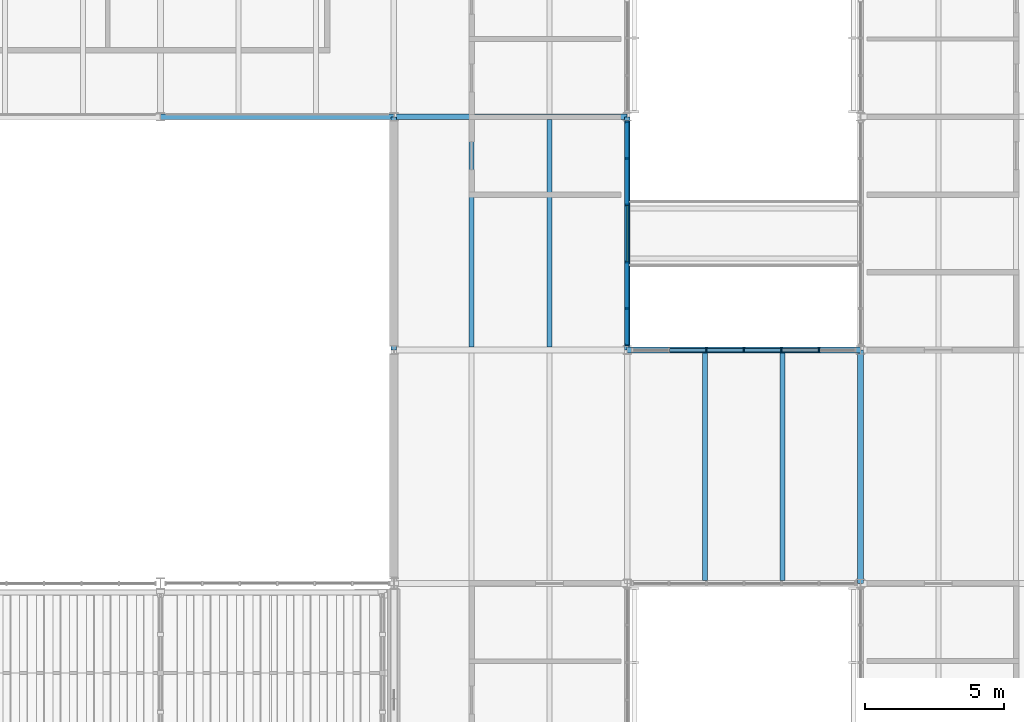
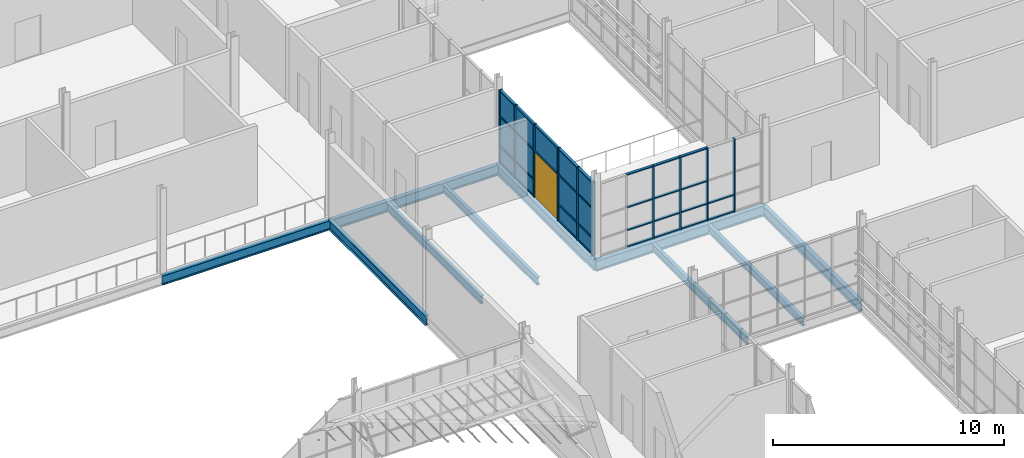
# One storey, part 43 of 129: 42 members, 13 plates, 10 beams, 1 door, 1 opening, 2 elements without a shape of their own.
"""IFC4 building model written with IfcOpenShell, lengths in metres."""

from ifc_helpers import new_model, si_unit, direction, frame, frame_2d, origin, origin_2d, place, context, subcontext, project, spatial, rectangle, i_section, extrude, material, layer, layer_set, material_profile, profile_set, type_object, element, fill, aggregate, save


model = new_model("IFC4")

# Units and contexts
model_context = context("Model", 3, precision=1e-05, world=origin(), true_north=direction((0.0, 1.0)))
body_context = subcontext(model_context, "Body", "Model", "MODEL_VIEW")
ifc_project = project(units=[si_unit("LENGTHUNIT", "METRE"), si_unit("AREAUNIT", "SQUARE_METRE"), si_unit("VOLUMEUNIT", "CUBIC_METRE"), si_unit("PLANEANGLEUNIT", "RADIAN"), si_unit("MASSUNIT", "GRAM", prefix="KILO")], contexts=[model_context])

# Site, building, storey
site_placement = place(None, origin())
site = spatial("IfcSite", under=ifc_project, at=site_placement, CompositionType="ELEMENT")
building_placement = place(site_placement, origin())
building = spatial("IfcBuilding", under=site, at=building_placement, Name="Ardhachandra Cancer Care Centre", CompositionType="ELEMENT")
storey_placement = place(building_placement, frame((0.0, 0.0, 4.5)))
storey = spatial("IfcBuildingStorey", under=building, at=storey_placement, Name="L01", CompositionType="ELEMENT", Elevation=4.5)

# Beams
ifc_material_1 = material(Name="Steel E350 (IS 2062)", Category="steel")
ifc_material_profile_1 = material_profile(ifc_material_1, i_section(OverallWidth=0.179931640625, OverallDepth=0.39990234375, WebThickness=0.008544921875, FlangeThickness=0.013427734375, FilletRadius=0.02099609375, at=origin_2d()), Name="NPB 400x180x66.30")
ifc_profile_set_1 = profile_set([ifc_material_profile_1], Name="Steel E350 (IS 2062)")
beam_type_1 = type_object("IfcBeamType", Name="Beam NPB 400x180x66.30", PredefinedType="BEAM", material=ifc_profile_set_1)
for number, where, z_axis, x_axis, name in (
    (1, (114.39990234375, 63.10498046875, -0.35009765625), (0.0, 1.0, 0.0), (-1.0, 0.0, 0.0), "Secondary G13-H13@2800"),
    (2, (117.199951171875, 63.10498046875, -0.35009765625), (0.0, 1.0, 0.0), (-1.0, 0.0, 0.0), "Secondary G13-H13@5600"),
    (3, (122.800048828125, 54.705078125, -0.35009765625), (0.0, 1.0, 0.0), (-1.0, 0.0, 0.0), "Secondary F14-G14@2800"),
    (4, (125.60009765625, 54.705078125, -0.35009765625), (0.0, 1.0, 0.0), (-1.0, 0.0, 0.0), "Secondary F14-G14@5600"),
):
    element("IfcBeam", number, at=place(storey_placement, frame(where, z_axis=z_axis, x_axis=x_axis)), inside=storey, type_object=beam_type_1, Name=name, PredefinedType="BEAM", context=body_context, shape_type="SweptSolid", body=[
        extrude(i_section(OverallWidth=0.179931640625, OverallDepth=0.39990234375, WebThickness=0.008544921875, FlangeThickness=0.013427734375, FilletRadius=0.02099609375, at=origin_2d()), origin(), (0.0, 0.0, 1.0), 8.18994140625),
    ])
ifc_material_2 = material(Name="Steel E350 (IS 2062)", Category="steel")
ifc_material_profile_2 = material_profile(ifc_material_2, i_section(OverallWidth=0.199951171875, OverallDepth=0.5, WebThickness=0.01025390625, FlangeThickness=0.01611328125, FilletRadius=0.02099609375, at=origin_2d()), Name="NPB 500x200x90.68")
ifc_profile_set_2 = profile_set([ifc_material_profile_2], Name="Steel E350 (IS 2062)")
beam_type_2 = type_object("IfcBeamType", Name="Beam NPB 500x200x90.68", PredefinedType="BEAM", material=ifc_profile_set_2)
beam_1_placement = place(storey_placement, frame((103.199951171875, 71.39990234375, -0.39990234375), z_axis=(1.0, 0.0, 0.0), x_axis=(0.0, 1.0, 0.0)))
element("IfcBeam", 5, at=beam_1_placement, inside=storey, type_object=beam_type_2, Name="Edge girder H12-H13", PredefinedType="BEAM", context=body_context, shape_type="SweptSolid", body=[
    extrude(i_section(OverallWidth=0.199951171875, OverallDepth=0.5, WebThickness=0.01025390625, FlangeThickness=0.01611328125, FilletRadius=0.02099609375, at=origin_2d()), origin(), (0.0, 0.0, 1.0), 8.400146484375),
])
beam_2_placement = place(storey_placement, frame((111.60009765625, 63.0, -0.39990234375), z_axis=(0.0, 1.0, 0.0), x_axis=(-1.0, 0.0, 0.0)))
element("IfcBeam", 6, at=beam_2_placement, inside=storey, type_object=beam_type_2, Name="Edge girder G13-H13", PredefinedType="BEAM", context=body_context, shape_type="SweptSolid", body=[
    extrude(i_section(OverallWidth=0.199951171875, OverallDepth=0.5, WebThickness=0.01025390625, FlangeThickness=0.01611328125, FilletRadius=0.02099609375, at=origin_2d()), origin(), (0.0, 0.0, 1.0), 8.39990234375),
])
ifc_material_3 = material(Name="Steel E350 (IS 2062)", Category="steel")
ifc_material_profile_3 = material_profile(ifc_material_3, i_section(OverallWidth=0.2099609375, OverallDepth=0.550048828125, WebThickness=0.010986328125, FlangeThickness=0.01708984375, FilletRadius=0.02392578125, at=origin_2d()), Name="NPB 550x210x105.52")
ifc_profile_set_3 = profile_set([ifc_material_profile_3], Name="Steel E350 (IS 2062)")
beam_type_3 = type_object("IfcBeamType", Name="Beam NPB 550x210x105.52", PredefinedType="BEAM", material=ifc_profile_set_3)
for number, where, z_axis, x_axis, name in (
    (7, (120.0, 63.0, -0.425048828125), (1.0, 0.0, 0.0), (0.0, 1.0, 0.0), "Girder G14-G15"),
    (8, (111.60009765625, 71.39990234375, -0.425048828125), (1.0, 0.0, 0.0), (0.0, 1.0, 0.0), "Girder H13-H14"),
    (9, (120.0, 63.0, -0.425048828125), (0.0, 1.0, 0.0), (-1.0, 0.0, 0.0), "Girder G14-H14"),
    (10, (128.39990234375, 54.60009765625, -0.425048828125), (0.0, 1.0, 0.0), (-1.0, 0.0, 0.0), "Girder F15-G15"),
):
    element("IfcBeam", number, at=place(storey_placement, frame(where, z_axis=z_axis, x_axis=x_axis)), inside=storey, type_object=beam_type_3, Name=name, PredefinedType="BEAM", context=body_context, shape_type="SweptSolid", body=[
        extrude(i_section(OverallWidth=0.2099609375, OverallDepth=0.550048828125, WebThickness=0.010986328125, FlangeThickness=0.01708984375, FilletRadius=0.02392578125, at=origin_2d()), origin(), (0.0, 0.0, 1.0), 8.39990234375),
    ])

# Curtain wall, opening, members
ifc_material_4 = material(Name="Aluminium extrusion", Category="aluminium")
ifc_layer_1 = layer(ifc_material_4, 0.14990234375)
ifc_layer_set_1 = layer_set([ifc_layer_1], Name="Aluminium extrusion")
curtain_wall_type = type_object("IfcCurtainWallType", Name="Curtain wall run", PredefinedType="NOTDEFINED", material=ifc_layer_set_1)
curtain_wall_1_placement = place(storey_placement, frame((120.0, 63.14990234375, 0.0), z_axis=(0.0, 0.0, 1.0), x_axis=(0.0, 1.0, 0.0)))
curtain_wall_1 = element("IfcCurtainWall", 11, at=curtain_wall_1_placement, inside=storey, type_object=curtain_wall_type, Name="Curtain wall L01 e/0120000_0063000", PredefinedType="NOTDEFINED")
opening_placement = place(curtain_wall_1_placement, frame((3.050048828125, 0.0, 0.0)))
opening = element("IfcOpeningElement", 12, at=opening_placement, cuts=curtain_wall_1, Name="Opening BR-LC2-L01-e", PredefinedType="OPENING", context=body_context, shape_type="SweptSolid", body=[
    extrude(rectangle(XDim=2.0, YDim=2.39990234375, at=frame_2d((1.0, 1.199951171875))), frame((0.0, 0.0849609375, 0.0), z_axis=(0.0, -1.0, 0.0), x_axis=(1.0, 0.0, 0.0)), (0.0, 0.0, 1.0), 0.169921875),
])
ifc_material_5 = material(Name="Aluminium extrusion", Category="aluminium")
ifc_material_profile_4 = material_profile(ifc_material_5, rectangle(XDim=0.159912109375, YDim=0.06005859375, at=origin_2d()), Name="Curtain wall mullion 60 x 160")
ifc_profile_set_4 = profile_set([ifc_material_profile_4], Name="Aluminium extrusion")
member_type_1 = type_object("IfcMemberType", Name="Curtain wall mullion 60 x 160", PredefinedType="MULLION", material=ifc_profile_set_4)
member_1_placement = place(storey_placement, frame((120.0, 63.179931640625, 0.0), z_axis=(0.0, 0.0, 1.0), x_axis=(-1.0, 0.0, 0.0)))
member_1 = element("IfcMember", 13, at=member_1_placement, type_object=member_type_1, Name="CW mullion 1", PredefinedType="MULLION", context=body_context, shape_type="SweptSolid", body=[
    extrude(rectangle(XDim=0.159912109375, YDim=0.06005859375, at=origin_2d()), origin(), (0.0, 0.0, 1.0), 3.85009765625),
])
member_2_placement = place(storey_placement, frame((120.0, 64.5, 0.0), z_axis=(0.0, 0.0, 1.0), x_axis=(-1.0, 0.0, 0.0)))
member_2 = element("IfcMember", 14, at=member_2_placement, type_object=member_type_1, Name="CW mullion 2", PredefinedType="MULLION", context=body_context, shape_type="SweptSolid", body=[
    extrude(rectangle(XDim=0.159912109375, YDim=0.06005859375, at=origin_2d()), origin(), (0.0, 0.0, 1.0), 3.85009765625),
])
member_3_placement = place(storey_placement, frame((120.0, 66.169921875, 0.0), z_axis=(0.0, 0.0, 1.0), x_axis=(-1.0, 0.0, 0.0)))
member_3 = element("IfcMember", 15, at=member_3_placement, type_object=member_type_1, Name="CW mullion 3", PredefinedType="MULLION", context=body_context, shape_type="SweptSolid", body=[
    extrude(rectangle(XDim=0.159912109375, YDim=0.06005859375, at=origin_2d()), origin(), (0.0, 0.0, 1.0), 3.85009765625),
])
member_4_placement = place(storey_placement, frame((120.0, 68.22998046875, 0.0), z_axis=(0.0, 0.0, 1.0), x_axis=(-1.0, 0.0, 0.0)))
member_4 = element("IfcMember", 16, at=member_4_placement, type_object=member_type_1, Name="CW mullion 4", PredefinedType="MULLION", context=body_context, shape_type="SweptSolid", body=[
    extrude(rectangle(XDim=0.159912109375, YDim=0.06005859375, at=origin_2d()), origin(), (0.0, 0.0, 1.0), 3.85009765625),
])
member_5_placement = place(storey_placement, frame((120.0, 69.89990234375, 0.0), z_axis=(0.0, 0.0, 1.0), x_axis=(-1.0, 0.0, 0.0)))
member_5 = element("IfcMember", 17, at=member_5_placement, type_object=member_type_1, Name="CW mullion 5", PredefinedType="MULLION", context=body_context, shape_type="SweptSolid", body=[
    extrude(rectangle(XDim=0.159912109375, YDim=0.06005859375, at=origin_2d()), origin(), (0.0, 0.0, 1.0), 3.85009765625),
])
member_6_placement = place(storey_placement, frame((120.0, 71.219970703125, 0.0), z_axis=(0.0, 0.0, 1.0), x_axis=(-1.0, 0.0, 0.0)))
member_6 = element("IfcMember", 18, at=member_6_placement, type_object=member_type_1, Name="CW mullion 6", PredefinedType="MULLION", context=body_context, shape_type="SweptSolid", body=[
    extrude(rectangle(XDim=0.159912109375, YDim=0.06005859375, at=origin_2d()), origin(), (0.0, 0.0, 1.0), 3.85009765625),
])

# Curtain wall, members
curtain_wall_2_placement = place(storey_placement, origin())
curtain_wall_2 = element("IfcCurtainWall", 19, at=curtain_wall_2_placement, inside=storey, type_object=curtain_wall_type, Name="Curtain wall L01 n/0120000_0063000", PredefinedType="NOTDEFINED")
member_7_placement = place(storey_placement, frame((122.85009765625, 63.0, 0.0), z_axis=(0.0, 0.0, 1.0), x_axis=(0.0, 1.0, 0.0)))
member_7 = element("IfcMember", 20, at=member_7_placement, type_object=member_type_1, Name="CW mullion 3", PredefinedType="MULLION", context=body_context, shape_type="SweptSolid", body=[
    extrude(rectangle(XDim=0.159912109375, YDim=0.06005859375, at=origin_2d()), origin(), (0.0, 0.0, 1.0), 3.85009765625),
])
member_8_placement = place(storey_placement, frame((124.199951171875, 63.0, 0.0), z_axis=(0.0, 0.0, 1.0), x_axis=(0.0, 1.0, 0.0)))
member_8 = element("IfcMember", 21, at=member_8_placement, type_object=member_type_1, Name="CW mullion 4", PredefinedType="MULLION", context=body_context, shape_type="SweptSolid", body=[
    extrude(rectangle(XDim=0.159912109375, YDim=0.06005859375, at=origin_2d()), origin(), (0.0, 0.0, 1.0), 3.85009765625),
])
member_9_placement = place(storey_placement, frame((125.550048828125, 63.0, 0.0), z_axis=(0.0, 0.0, 1.0), x_axis=(0.0, 1.0, 0.0)))
member_9 = element("IfcMember", 22, at=member_9_placement, type_object=member_type_1, Name="CW mullion 5", PredefinedType="MULLION", context=body_context, shape_type="SweptSolid", body=[
    extrude(rectangle(XDim=0.159912109375, YDim=0.06005859375, at=origin_2d()), origin(), (0.0, 0.0, 1.0), 3.85009765625),
])
member_10_placement = place(storey_placement, frame((126.89990234375, 63.0, 0.0), z_axis=(0.0, 0.0, 1.0), x_axis=(0.0, 1.0, 0.0)))
member_10 = element("IfcMember", 23, at=member_10_placement, type_object=member_type_1, Name="CW mullion 6", PredefinedType="MULLION", context=body_context, shape_type="SweptSolid", body=[
    extrude(rectangle(XDim=0.159912109375, YDim=0.06005859375, at=origin_2d()), origin(), (0.0, 0.0, 1.0), 3.85009765625),
])

# Member
ifc_material_6 = material(Name="Aluminium extrusion", Category="aluminium")
ifc_material_profile_5 = material_profile(ifc_material_6, rectangle(XDim=0.1201171875, YDim=0.06005859375, at=origin_2d()), Name="Curtain wall transom 60 x 120")
ifc_profile_set_5 = profile_set([ifc_material_profile_5], Name="Aluminium extrusion")
member_type_2 = type_object("IfcMemberType", Name="Curtain wall transom 60 x 120", PredefinedType="USERDEFINED", material=ifc_profile_set_5)
member_11_placement = place(storey_placement, frame((120.0, 63.2099609375, 0.030029296875), z_axis=(0.0, 1.0, 0.0), x_axis=(-1.0, 0.0, 0.0)))
member_11 = element("IfcMember", 24, at=member_11_placement, type_object=member_type_2, Name="CW transom 1.1", ObjectType="TRANSOM", PredefinedType="USERDEFINED", context=body_context, shape_type="SweptSolid", body=[
    extrude(rectangle(XDim=0.1201171875, YDim=0.06005859375, at=origin_2d()), origin(), (0.0, 0.0, 1.0), 1.260009765625),
])

member_12_placement = place(storey_placement, frame((120.0, 63.2099609375, 0.89990234375), z_axis=(0.0, 1.0, 0.0), x_axis=(-1.0, 0.0, 0.0)))
member_12 = element("IfcMember", 25, at=member_12_placement, type_object=member_type_2, Name="CW transom 1.2", ObjectType="TRANSOM", PredefinedType="USERDEFINED", context=body_context, shape_type="SweptSolid", body=[
    extrude(rectangle(XDim=0.1201171875, YDim=0.06005859375, at=origin_2d()), origin(), (0.0, 0.0, 1.0), 1.260009765625),
])

member_13_placement = place(storey_placement, frame((120.0, 63.2099609375, 2.4599609375), z_axis=(0.0, 1.0, 0.0), x_axis=(-1.0, 0.0, 0.0)))
member_13 = element("IfcMember", 26, at=member_13_placement, type_object=member_type_2, Name="CW transom 1.3", ObjectType="TRANSOM", PredefinedType="USERDEFINED", context=body_context, shape_type="SweptSolid", body=[
    extrude(rectangle(XDim=0.1201171875, YDim=0.06005859375, at=origin_2d()), origin(), (0.0, 0.0, 1.0), 1.260009765625),
])

member_14_placement = place(storey_placement, frame((120.0, 63.2099609375, 3.820068359375), z_axis=(0.0, 1.0, 0.0), x_axis=(-1.0, 0.0, 0.0)))
member_14 = element("IfcMember", 27, at=member_14_placement, type_object=member_type_2, Name="CW transom 1.4", ObjectType="TRANSOM", PredefinedType="USERDEFINED", context=body_context, shape_type="SweptSolid", body=[
    extrude(rectangle(XDim=0.1201171875, YDim=0.06005859375, at=origin_2d()), origin(), (0.0, 0.0, 1.0), 1.260009765625),
])

member_15_placement = place(storey_placement, frame((120.0, 64.530029296875, 0.030029296875), z_axis=(0.0, 1.0, 0.0), x_axis=(-1.0, 0.0, 0.0)))
member_15 = element("IfcMember", 28, at=member_15_placement, type_object=member_type_2, Name="CW transom 2.1", ObjectType="TRANSOM", PredefinedType="USERDEFINED", context=body_context, shape_type="SweptSolid", body=[
    extrude(rectangle(XDim=0.1201171875, YDim=0.06005859375, at=origin_2d()), origin(), (0.0, 0.0, 1.0), 1.60986328125),
])

member_16_placement = place(storey_placement, frame((120.0, 64.530029296875, 0.89990234375), z_axis=(0.0, 1.0, 0.0), x_axis=(-1.0, 0.0, 0.0)))
member_16 = element("IfcMember", 29, at=member_16_placement, type_object=member_type_2, Name="CW transom 2.2", ObjectType="TRANSOM", PredefinedType="USERDEFINED", context=body_context, shape_type="SweptSolid", body=[
    extrude(rectangle(XDim=0.1201171875, YDim=0.06005859375, at=origin_2d()), origin(), (0.0, 0.0, 1.0), 1.60986328125),
])

member_17_placement = place(storey_placement, frame((120.0, 64.530029296875, 2.4599609375), z_axis=(0.0, 1.0, 0.0), x_axis=(-1.0, 0.0, 0.0)))
member_17 = element("IfcMember", 30, at=member_17_placement, type_object=member_type_2, Name="CW transom 2.3", ObjectType="TRANSOM", PredefinedType="USERDEFINED", context=body_context, shape_type="SweptSolid", body=[
    extrude(rectangle(XDim=0.1201171875, YDim=0.06005859375, at=origin_2d()), origin(), (0.0, 0.0, 1.0), 1.60986328125),
])

member_18_placement = place(storey_placement, frame((120.0, 64.530029296875, 3.820068359375), z_axis=(0.0, 1.0, 0.0), x_axis=(-1.0, 0.0, 0.0)))
member_18 = element("IfcMember", 31, at=member_18_placement, type_object=member_type_2, Name="CW transom 2.4", ObjectType="TRANSOM", PredefinedType="USERDEFINED", context=body_context, shape_type="SweptSolid", body=[
    extrude(rectangle(XDim=0.1201171875, YDim=0.06005859375, at=origin_2d()), origin(), (0.0, 0.0, 1.0), 1.60986328125),
])

member_19_placement = place(storey_placement, frame((120.0, 66.199951171875, 2.4599609375), z_axis=(0.0, 1.0, 0.0), x_axis=(-1.0, 0.0, 0.0)))
member_19 = element("IfcMember", 32, at=member_19_placement, type_object=member_type_2, Name="CW transom 3.1", ObjectType="TRANSOM", PredefinedType="USERDEFINED", context=body_context, shape_type="SweptSolid", body=[
    extrude(rectangle(XDim=0.1201171875, YDim=0.06005859375, at=origin_2d()), origin(), (0.0, 0.0, 1.0), 2.0),
])

member_20_placement = place(storey_placement, frame((120.0, 66.199951171875, 3.820068359375), z_axis=(0.0, 1.0, 0.0), x_axis=(-1.0, 0.0, 0.0)))
member_20 = element("IfcMember", 33, at=member_20_placement, type_object=member_type_2, Name="CW transom 3.2", ObjectType="TRANSOM", PredefinedType="USERDEFINED", context=body_context, shape_type="SweptSolid", body=[
    extrude(rectangle(XDim=0.1201171875, YDim=0.06005859375, at=origin_2d()), origin(), (0.0, 0.0, 1.0), 2.0),
])

member_21_placement = place(storey_placement, frame((120.0, 68.260009765625, 0.030029296875), z_axis=(0.0, 1.0, 0.0), x_axis=(-1.0, 0.0, 0.0)))
member_21 = element("IfcMember", 34, at=member_21_placement, type_object=member_type_2, Name="CW transom 4.1", ObjectType="TRANSOM", PredefinedType="USERDEFINED", context=body_context, shape_type="SweptSolid", body=[
    extrude(rectangle(XDim=0.1201171875, YDim=0.06005859375, at=origin_2d()), origin(), (0.0, 0.0, 1.0), 1.610107421875),
])

member_22_placement = place(storey_placement, frame((120.0, 68.260009765625, 0.89990234375), z_axis=(0.0, 1.0, 0.0), x_axis=(-1.0, 0.0, 0.0)))
member_22 = element("IfcMember", 35, at=member_22_placement, type_object=member_type_2, Name="CW transom 4.2", ObjectType="TRANSOM", PredefinedType="USERDEFINED", context=body_context, shape_type="SweptSolid", body=[
    extrude(rectangle(XDim=0.1201171875, YDim=0.06005859375, at=origin_2d()), origin(), (0.0, 0.0, 1.0), 1.610107421875),
])

member_23_placement = place(storey_placement, frame((120.0, 68.260009765625, 2.4599609375), z_axis=(0.0, 1.0, 0.0), x_axis=(-1.0, 0.0, 0.0)))
member_23 = element("IfcMember", 36, at=member_23_placement, type_object=member_type_2, Name="CW transom 4.3", ObjectType="TRANSOM", PredefinedType="USERDEFINED", context=body_context, shape_type="SweptSolid", body=[
    extrude(rectangle(XDim=0.1201171875, YDim=0.06005859375, at=origin_2d()), origin(), (0.0, 0.0, 1.0), 1.610107421875),
])

member_24_placement = place(storey_placement, frame((120.0, 68.260009765625, 3.820068359375), z_axis=(0.0, 1.0, 0.0), x_axis=(-1.0, 0.0, 0.0)))
member_24 = element("IfcMember", 37, at=member_24_placement, type_object=member_type_2, Name="CW transom 4.4", ObjectType="TRANSOM", PredefinedType="USERDEFINED", context=body_context, shape_type="SweptSolid", body=[
    extrude(rectangle(XDim=0.1201171875, YDim=0.06005859375, at=origin_2d()), origin(), (0.0, 0.0, 1.0), 1.610107421875),
])

member_25_placement = place(storey_placement, frame((120.0, 69.929931640625, 0.030029296875), z_axis=(0.0, 1.0, 0.0), x_axis=(-1.0, 0.0, 0.0)))
member_25 = element("IfcMember", 38, at=member_25_placement, type_object=member_type_2, Name="CW transom 5.1", ObjectType="TRANSOM", PredefinedType="USERDEFINED", context=body_context, shape_type="SweptSolid", body=[
    extrude(rectangle(XDim=0.1201171875, YDim=0.06005859375, at=origin_2d()), origin(), (0.0, 0.0, 1.0), 1.260009765625),
])

member_26_placement = place(storey_placement, frame((120.0, 69.929931640625, 0.89990234375), z_axis=(0.0, 1.0, 0.0), x_axis=(-1.0, 0.0, 0.0)))
member_26 = element("IfcMember", 39, at=member_26_placement, type_object=member_type_2, Name="CW transom 5.2", ObjectType="TRANSOM", PredefinedType="USERDEFINED", context=body_context, shape_type="SweptSolid", body=[
    extrude(rectangle(XDim=0.1201171875, YDim=0.06005859375, at=origin_2d()), origin(), (0.0, 0.0, 1.0), 1.260009765625),
])

member_27_placement = place(storey_placement, frame((120.0, 69.929931640625, 2.4599609375), z_axis=(0.0, 1.0, 0.0), x_axis=(-1.0, 0.0, 0.0)))
member_27 = element("IfcMember", 40, at=member_27_placement, type_object=member_type_2, Name="CW transom 5.3", ObjectType="TRANSOM", PredefinedType="USERDEFINED", context=body_context, shape_type="SweptSolid", body=[
    extrude(rectangle(XDim=0.1201171875, YDim=0.06005859375, at=origin_2d()), origin(), (0.0, 0.0, 1.0), 1.260009765625),
])

member_28_placement = place(storey_placement, frame((120.0, 69.929931640625, 3.820068359375), z_axis=(0.0, 1.0, 0.0), x_axis=(-1.0, 0.0, 0.0)))
member_28 = element("IfcMember", 41, at=member_28_placement, type_object=member_type_2, Name="CW transom 5.4", ObjectType="TRANSOM", PredefinedType="USERDEFINED", context=body_context, shape_type="SweptSolid", body=[
    extrude(rectangle(XDim=0.1201171875, YDim=0.06005859375, at=origin_2d()), origin(), (0.0, 0.0, 1.0), 1.260009765625),
])

member_29_placement = place(storey_placement, frame((121.530029296875, 63.0, 0.030029296875), z_axis=(1.0, 0.0, 0.0), x_axis=(0.0, 1.0, 0.0)))
member_29 = element("IfcMember", 42, at=member_29_placement, type_object=member_type_2, Name="CW transom 2.1", ObjectType="TRANSOM", PredefinedType="USERDEFINED", context=body_context, shape_type="SweptSolid", body=[
    extrude(rectangle(XDim=0.1201171875, YDim=0.06005859375, at=origin_2d()), origin(), (0.0, 0.0, 1.0), 1.2900390625),
])

member_30_placement = place(storey_placement, frame((121.530029296875, 63.0, 0.89990234375), z_axis=(1.0, 0.0, 0.0), x_axis=(0.0, 1.0, 0.0)))
member_30 = element("IfcMember", 43, at=member_30_placement, type_object=member_type_2, Name="CW transom 2.2", ObjectType="TRANSOM", PredefinedType="USERDEFINED", context=body_context, shape_type="SweptSolid", body=[
    extrude(rectangle(XDim=0.1201171875, YDim=0.06005859375, at=origin_2d()), origin(), (0.0, 0.0, 1.0), 1.2900390625),
])

member_31_placement = place(storey_placement, frame((121.530029296875, 63.0, 2.10009765625), z_axis=(1.0, 0.0, 0.0), x_axis=(0.0, 1.0, 0.0)))
member_31 = element("IfcMember", 44, at=member_31_placement, type_object=member_type_2, Name="CW transom 2.3", ObjectType="TRANSOM", PredefinedType="USERDEFINED", context=body_context, shape_type="SweptSolid", body=[
    extrude(rectangle(XDim=0.1201171875, YDim=0.06005859375, at=origin_2d()), origin(), (0.0, 0.0, 1.0), 1.2900390625),
])

member_32_placement = place(storey_placement, frame((121.530029296875, 63.0, 3.820068359375), z_axis=(1.0, 0.0, 0.0), x_axis=(0.0, 1.0, 0.0)))
member_32 = element("IfcMember", 45, at=member_32_placement, type_object=member_type_2, Name="CW transom 2.4", ObjectType="TRANSOM", PredefinedType="USERDEFINED", context=body_context, shape_type="SweptSolid", body=[
    extrude(rectangle(XDim=0.1201171875, YDim=0.06005859375, at=origin_2d()), origin(), (0.0, 0.0, 1.0), 1.2900390625),
])

member_33_placement = place(storey_placement, frame((122.8798828125, 63.0, 0.030029296875), z_axis=(1.0, 0.0, 0.0), x_axis=(0.0, 1.0, 0.0)))
member_33 = element("IfcMember", 46, at=member_33_placement, type_object=member_type_2, Name="CW transom 3.1", ObjectType="TRANSOM", PredefinedType="USERDEFINED", context=body_context, shape_type="SweptSolid", body=[
    extrude(rectangle(XDim=0.1201171875, YDim=0.06005859375, at=origin_2d()), origin(), (0.0, 0.0, 1.0), 1.2900390625),
])

member_34_placement = place(storey_placement, frame((122.8798828125, 63.0, 0.89990234375), z_axis=(1.0, 0.0, 0.0), x_axis=(0.0, 1.0, 0.0)))
member_34 = element("IfcMember", 47, at=member_34_placement, type_object=member_type_2, Name="CW transom 3.2", ObjectType="TRANSOM", PredefinedType="USERDEFINED", context=body_context, shape_type="SweptSolid", body=[
    extrude(rectangle(XDim=0.1201171875, YDim=0.06005859375, at=origin_2d()), origin(), (0.0, 0.0, 1.0), 1.2900390625),
])

member_35_placement = place(storey_placement, frame((122.8798828125, 63.0, 2.10009765625), z_axis=(1.0, 0.0, 0.0), x_axis=(0.0, 1.0, 0.0)))
member_35 = element("IfcMember", 48, at=member_35_placement, type_object=member_type_2, Name="CW transom 3.3", ObjectType="TRANSOM", PredefinedType="USERDEFINED", context=body_context, shape_type="SweptSolid", body=[
    extrude(rectangle(XDim=0.1201171875, YDim=0.06005859375, at=origin_2d()), origin(), (0.0, 0.0, 1.0), 1.2900390625),
])

member_36_placement = place(storey_placement, frame((122.8798828125, 63.0, 3.820068359375), z_axis=(1.0, 0.0, 0.0), x_axis=(0.0, 1.0, 0.0)))
member_36 = element("IfcMember", 49, at=member_36_placement, type_object=member_type_2, Name="CW transom 3.4", ObjectType="TRANSOM", PredefinedType="USERDEFINED", context=body_context, shape_type="SweptSolid", body=[
    extrude(rectangle(XDim=0.1201171875, YDim=0.06005859375, at=origin_2d()), origin(), (0.0, 0.0, 1.0), 1.2900390625),
])

member_37_placement = place(storey_placement, frame((124.22998046875, 63.0, 0.030029296875), z_axis=(1.0, 0.0, 0.0), x_axis=(0.0, 1.0, 0.0)))
member_37 = element("IfcMember", 50, at=member_37_placement, type_object=member_type_2, Name="CW transom 4.1", ObjectType="TRANSOM", PredefinedType="USERDEFINED", context=body_context, shape_type="SweptSolid", body=[
    extrude(rectangle(XDim=0.1201171875, YDim=0.06005859375, at=origin_2d()), origin(), (0.0, 0.0, 1.0), 1.2900390625),
])

member_38_placement = place(storey_placement, frame((124.22998046875, 63.0, 0.89990234375), z_axis=(1.0, 0.0, 0.0), x_axis=(0.0, 1.0, 0.0)))
member_38 = element("IfcMember", 51, at=member_38_placement, type_object=member_type_2, Name="CW transom 4.2", ObjectType="TRANSOM", PredefinedType="USERDEFINED", context=body_context, shape_type="SweptSolid", body=[
    extrude(rectangle(XDim=0.1201171875, YDim=0.06005859375, at=origin_2d()), origin(), (0.0, 0.0, 1.0), 1.2900390625),
])

member_39_placement = place(storey_placement, frame((124.22998046875, 63.0, 2.10009765625), z_axis=(1.0, 0.0, 0.0), x_axis=(0.0, 1.0, 0.0)))
member_39 = element("IfcMember", 52, at=member_39_placement, type_object=member_type_2, Name="CW transom 4.3", ObjectType="TRANSOM", PredefinedType="USERDEFINED", context=body_context, shape_type="SweptSolid", body=[
    extrude(rectangle(XDim=0.1201171875, YDim=0.06005859375, at=origin_2d()), origin(), (0.0, 0.0, 1.0), 1.2900390625),
])

member_40_placement = place(storey_placement, frame((124.22998046875, 63.0, 3.820068359375), z_axis=(1.0, 0.0, 0.0), x_axis=(0.0, 1.0, 0.0)))
member_40 = element("IfcMember", 53, at=member_40_placement, type_object=member_type_2, Name="CW transom 4.4", ObjectType="TRANSOM", PredefinedType="USERDEFINED", context=body_context, shape_type="SweptSolid", body=[
    extrude(rectangle(XDim=0.1201171875, YDim=0.06005859375, at=origin_2d()), origin(), (0.0, 0.0, 1.0), 1.2900390625),
])

member_41_placement = place(storey_placement, frame((125.580078125, 63.0, 0.030029296875), z_axis=(1.0, 0.0, 0.0), x_axis=(0.0, 1.0, 0.0)))
member_41 = element("IfcMember", 54, at=member_41_placement, type_object=member_type_2, Name="CW transom 5.1", ObjectType="TRANSOM", PredefinedType="USERDEFINED", context=body_context, shape_type="SweptSolid", body=[
    extrude(rectangle(XDim=0.1201171875, YDim=0.06005859375, at=origin_2d()), origin(), (0.0, 0.0, 1.0), 1.2900390625),
])

member_42_placement = place(storey_placement, frame((125.580078125, 63.0, 0.89990234375), z_axis=(1.0, 0.0, 0.0), x_axis=(0.0, 1.0, 0.0)))
member_42 = element("IfcMember", 55, at=member_42_placement, type_object=member_type_2, Name="CW transom 5.2", ObjectType="TRANSOM", PredefinedType="USERDEFINED", context=body_context, shape_type="SweptSolid", body=[
    extrude(rectangle(XDim=0.1201171875, YDim=0.06005859375, at=origin_2d()), origin(), (0.0, 0.0, 1.0), 1.2900390625),
])

aggregate(curtain_wall_2, [member_7, member_8, member_9, member_10, member_29, member_30, member_31, member_32, member_33, member_34, member_35, member_36, member_37, member_38, member_39, member_40, member_41, member_42])

# Plate
ifc_material_7 = material(Name="Low-iron double-glazed unit")
ifc_layer_2 = layer(ifc_material_7, 0.028076171875)
ifc_layer_set_2 = layer_set([ifc_layer_2], Name="Low-iron double-glazed unit")
plate_type_1 = type_object("IfcPlateType", Name="Curtain wall glazing 28", PredefinedType="CURTAIN_PANEL", material=ifc_layer_set_2)
plate_1_placement = place(storey_placement, frame((120.0, 63.840087890625, 0.929931640625), z_axis=(0.0, 0.0, 1.0), x_axis=(0.0, 1.0, 0.0)))
plate_1 = element("IfcPlate", 56, at=plate_1_placement, type_object=plate_type_1, Name="CW panel 1.2", PredefinedType="CURTAIN_PANEL", context=body_context, shape_type="SweptSolid", body=[
    extrude(rectangle(XDim=1.260009765625, YDim=0.028076171875, at=origin_2d()), origin(), (0.0, 0.0, 1.0), 1.5),
])

plate_2_placement = place(storey_placement, frame((120.0, 63.840087890625, 2.48974609375), z_axis=(0.0, 0.0, 1.0), x_axis=(0.0, 1.0, 0.0)))
plate_2 = element("IfcPlate", 57, at=plate_2_placement, type_object=plate_type_1, Name="CW panel 1.3", PredefinedType="CURTAIN_PANEL", context=body_context, shape_type="SweptSolid", body=[
    extrude(rectangle(XDim=1.260009765625, YDim=0.028076171875, at=origin_2d()), origin(), (0.0, 0.0, 1.0), 1.300048828125),
])

plate_3_placement = place(storey_placement, frame((120.0, 65.3349609375, 0.929931640625), z_axis=(0.0, 0.0, 1.0), x_axis=(0.0, 1.0, 0.0)))
plate_3 = element("IfcPlate", 58, at=plate_3_placement, type_object=plate_type_1, Name="CW panel 2.2", PredefinedType="CURTAIN_PANEL", context=body_context, shape_type="SweptSolid", body=[
    extrude(rectangle(XDim=1.610107421875, YDim=0.028076171875, at=origin_2d()), origin(), (0.0, 0.0, 1.0), 1.5),
])

plate_4_placement = place(storey_placement, frame((120.0, 65.3349609375, 2.48974609375), z_axis=(0.0, 0.0, 1.0), x_axis=(0.0, 1.0, 0.0)))
plate_4 = element("IfcPlate", 59, at=plate_4_placement, type_object=plate_type_1, Name="CW panel 2.3", PredefinedType="CURTAIN_PANEL", context=body_context, shape_type="SweptSolid", body=[
    extrude(rectangle(XDim=1.610107421875, YDim=0.028076171875, at=origin_2d()), origin(), (0.0, 0.0, 1.0), 1.300048828125),
])

plate_5_placement = place(storey_placement, frame((120.0, 67.199951171875, 2.48974609375), z_axis=(0.0, 0.0, 1.0), x_axis=(0.0, 1.0, 0.0)))
plate_5 = element("IfcPlate", 60, at=plate_5_placement, type_object=plate_type_1, Name="CW panel 3.1", PredefinedType="CURTAIN_PANEL", context=body_context, shape_type="SweptSolid", body=[
    extrude(rectangle(XDim=2.0, YDim=0.028076171875, at=origin_2d()), origin(), (0.0, 0.0, 1.0), 1.300048828125),
])

plate_6_placement = place(storey_placement, frame((120.0, 69.06494140625, 0.929931640625), z_axis=(0.0, 0.0, 1.0), x_axis=(0.0, 1.0, 0.0)))
plate_6 = element("IfcPlate", 61, at=plate_6_placement, type_object=plate_type_1, Name="CW panel 4.2", PredefinedType="CURTAIN_PANEL", context=body_context, shape_type="SweptSolid", body=[
    extrude(rectangle(XDim=1.610107421875, YDim=0.028076171875, at=origin_2d()), origin(), (0.0, 0.0, 1.0), 1.5),
])

plate_7_placement = place(storey_placement, frame((120.0, 69.06494140625, 2.48974609375), z_axis=(0.0, 0.0, 1.0), x_axis=(0.0, 1.0, 0.0)))
plate_7 = element("IfcPlate", 62, at=plate_7_placement, type_object=plate_type_1, Name="CW panel 4.3", PredefinedType="CURTAIN_PANEL", context=body_context, shape_type="SweptSolid", body=[
    extrude(rectangle(XDim=1.610107421875, YDim=0.028076171875, at=origin_2d()), origin(), (0.0, 0.0, 1.0), 1.300048828125),
])

plate_8_placement = place(storey_placement, frame((120.0, 70.56005859375, 0.929931640625), z_axis=(0.0, 0.0, 1.0), x_axis=(0.0, 1.0, 0.0)))
plate_8 = element("IfcPlate", 63, at=plate_8_placement, type_object=plate_type_1, Name="CW panel 5.2", PredefinedType="CURTAIN_PANEL", context=body_context, shape_type="SweptSolid", body=[
    extrude(rectangle(XDim=1.260009765625, YDim=0.028076171875, at=origin_2d()), origin(), (0.0, 0.0, 1.0), 1.5),
])

plate_9_placement = place(storey_placement, frame((120.0, 70.56005859375, 2.48974609375), z_axis=(0.0, 0.0, 1.0), x_axis=(0.0, 1.0, 0.0)))
plate_9 = element("IfcPlate", 64, at=plate_9_placement, type_object=plate_type_1, Name="CW panel 5.3", PredefinedType="CURTAIN_PANEL", context=body_context, shape_type="SweptSolid", body=[
    extrude(rectangle(XDim=1.260009765625, YDim=0.028076171875, at=origin_2d()), origin(), (0.0, 0.0, 1.0), 1.300048828125),
])

ifc_material_8 = material(Name="Aluminium composite spandrel panel", Category="aluminium")
ifc_layer_3 = layer(ifc_material_8, 0.028076171875)
ifc_layer_set_3 = layer_set([ifc_layer_3], Name="Aluminium composite spandrel panel")
plate_type_2 = type_object("IfcPlateType", Name="Curtain wall spandrel panel 28", PredefinedType="CURTAIN_PANEL", material=ifc_layer_set_3)
plate_10_placement = place(storey_placement, frame((120.0, 63.840087890625, 0.06005859375), z_axis=(0.0, 0.0, 1.0), x_axis=(0.0, 1.0, 0.0)))
plate_10 = element("IfcPlate", 65, at=plate_10_placement, type_object=plate_type_2, Name="CW panel 1.1", PredefinedType="CURTAIN_PANEL", context=body_context, shape_type="SweptSolid", body=[
    extrude(rectangle(XDim=1.260009765625, YDim=0.028076171875, at=origin_2d()), origin(), (0.0, 0.0, 1.0), 0.81005859375),
])

plate_11_placement = place(storey_placement, frame((120.0, 65.3349609375, 0.06005859375), z_axis=(0.0, 0.0, 1.0), x_axis=(0.0, 1.0, 0.0)))
plate_11 = element("IfcPlate", 66, at=plate_11_placement, type_object=plate_type_2, Name="CW panel 2.1", PredefinedType="CURTAIN_PANEL", context=body_context, shape_type="SweptSolid", body=[
    extrude(rectangle(XDim=1.610107421875, YDim=0.028076171875, at=origin_2d()), origin(), (0.0, 0.0, 1.0), 0.81005859375),
])

plate_12_placement = place(storey_placement, frame((120.0, 69.06494140625, 0.06005859375), z_axis=(0.0, 0.0, 1.0), x_axis=(0.0, 1.0, 0.0)))
plate_12 = element("IfcPlate", 67, at=plate_12_placement, type_object=plate_type_2, Name="CW panel 4.1", PredefinedType="CURTAIN_PANEL", context=body_context, shape_type="SweptSolid", body=[
    extrude(rectangle(XDim=1.610107421875, YDim=0.028076171875, at=origin_2d()), origin(), (0.0, 0.0, 1.0), 0.81005859375),
])

plate_13_placement = place(storey_placement, frame((120.0, 70.56005859375, 0.06005859375), z_axis=(0.0, 0.0, 1.0), x_axis=(0.0, 1.0, 0.0)))
plate_13 = element("IfcPlate", 68, at=plate_13_placement, type_object=plate_type_2, Name="CW panel 5.1", PredefinedType="CURTAIN_PANEL", context=body_context, shape_type="SweptSolid", body=[
    extrude(rectangle(XDim=1.260009765625, YDim=0.028076171875, at=origin_2d()), origin(), (0.0, 0.0, 1.0), 0.81005859375),
])

aggregate(curtain_wall_1, [member_1, member_2, member_3, member_4, member_5, member_6, member_11, member_12, member_13, member_14, plate_10, plate_1, plate_2, member_15, member_16, member_17, member_18, plate_11, plate_3, plate_4, member_19, member_20, plate_5, member_21, member_22, member_23, member_24, plate_12, plate_6, plate_7, member_25, member_26, member_27, member_28, plate_13, plate_8, plate_9])

# Door
ifc_material_9 = material(Name="Aluminium frame with toughened glass", Category="aluminium")
door_type = type_object("IfcDoorType", Name="Court door pair 2000 x 2400", OperationType="DOUBLE_DOOR_SINGLE_SWING", PredefinedType="DOOR", material=ifc_material_9)
door_placement = place(opening_placement, origin())
door = element("IfcDoor", 69, at=door_placement, inside=storey, type_object=door_type, Name="Link Bridge Door BR-LC2-L01-e", OperationType="SINGLE_SWING_LEFT", OverallHeight=2.39990234375, OverallWidth=2.0, PredefinedType="DOOR", context=body_context, shape_type="SweptSolid", body=[
    extrude(rectangle(XDim=2.0, YDim=2.39990234375, at=frame_2d((1.0, 1.199951171875))), frame((0.0, 0.02490234375, 0.0), z_axis=(0.0, -1.0, 0.0), x_axis=(1.0, 0.0, 0.0)), (0.0, 0.0, 1.0), 0.050048828125),
])

fill(opening, door)

save(model, "model.ifc")
